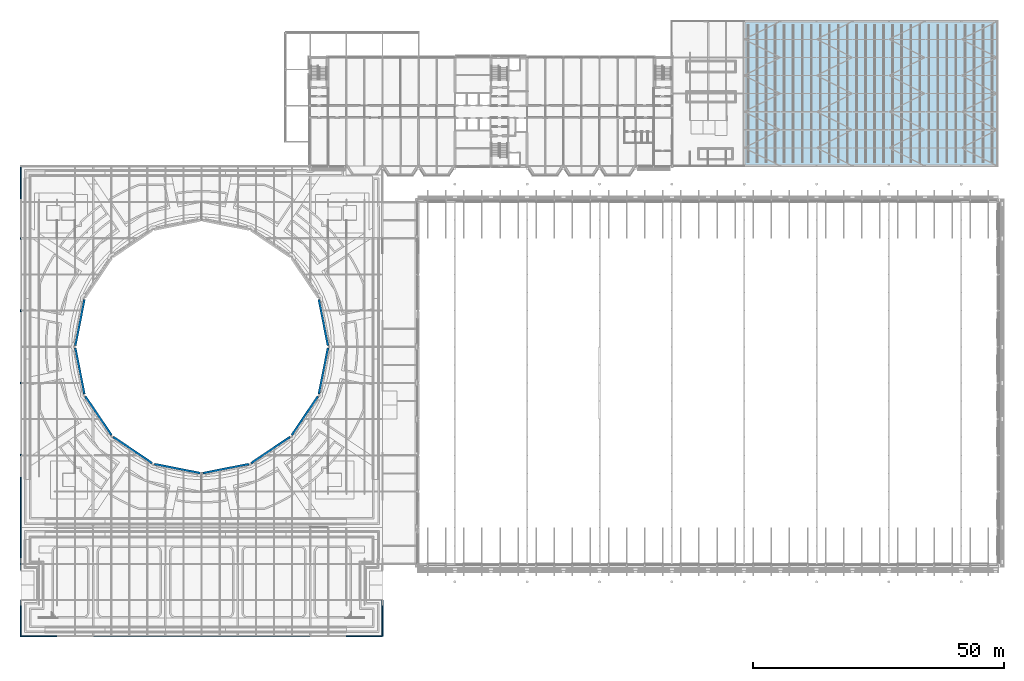
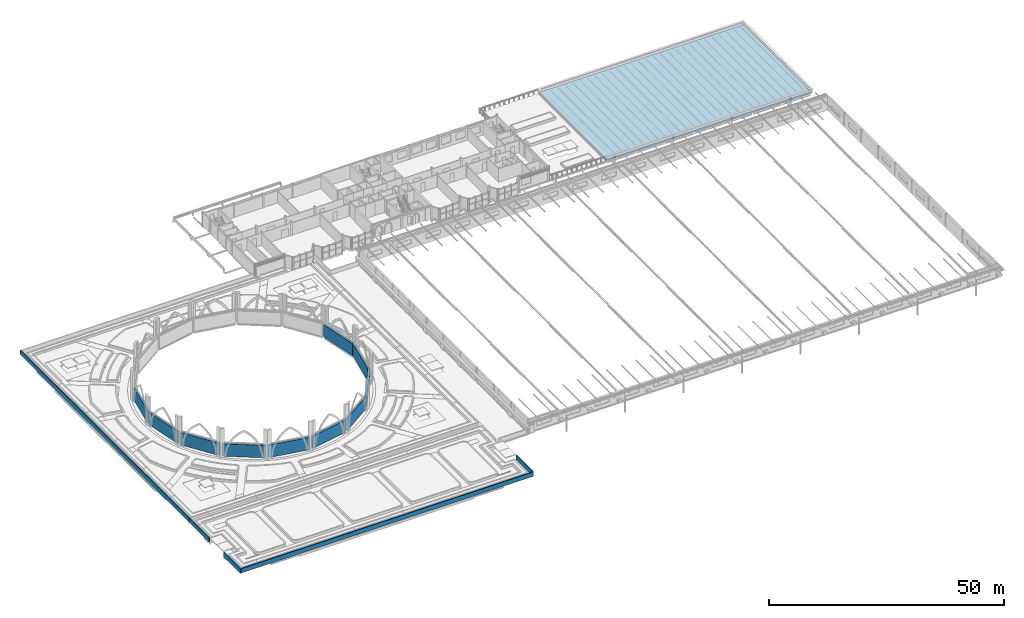
# One storey, part 38 of 110: 15 walls, 1 slab.
"""IFC4 building model written with IfcOpenShell, lengths in metres."""

import ifcopenshell
import ifcopenshell.guid

model = None  # the IFC model being written
_history = None  # IfcOwnerHistory: only IFC2X3 demands one
_inside = {}  # id of a spatial element -> (the spatial element, [elements in it])
_under = {}  # id of a project, library or spatial element -> (it, [spatial elements below it])
_declared = {}  # id of a project -> (the project, [libraries it declares])
_typed = {}  # id of a type object -> (the type object, [elements of that type])
_made_of = {}  # id of a material, layer set ... -> (it, [elements and type objects made of it])


def new_model(schema):
    """Start an empty IFC model of exactly this schema.

    Asked for "IFC4X3", IfcOpenShell would pick the latest addendum, in which some entities
    have other attributes; the version numbers below select the first issue.
    IFC2X3 requires an IfcOwnerHistory on every rooted entity: one is made here for all.
    """
    global model, _history
    if schema == "IFC4X3":
        model = ifcopenshell.file(schema_version=(4, 3, 0, 0))
    else:
        model = ifcopenshell.file(schema=schema)
    _inside.clear()
    _under.clear()
    _declared.clear()
    _typed.clear()
    _made_of.clear()
    _history = None
    if model.schema == "IFC2X3":
        org = make("IfcOrganization", Name="unknown")
        user = make(
            "IfcPersonAndOrganization",
            ThePerson=make("IfcPerson", FamilyName="unknown"),
            TheOrganization=org,
        )
        app = make(
            "IfcApplication",
            ApplicationDeveloper=org,
            Version="unknown",
            ApplicationFullName="unknown",
            ApplicationIdentifier="unknown",
        )
        _history = make(
            "IfcOwnerHistory",
            OwningUser=user,
            OwningApplication=app,
            ChangeAction="ADDED",
            CreationDate=0,
        )
    return model


def make(cls, **values):
    """One entity of the class cls with the attributes given. An attribute that is None is left unset."""
    return model.create_entity(
        cls, **{name: value for name, value in values.items() if value is not None}
    )


def rooted(cls, **values):
    """An entity with a GlobalId (a new one), such as an element, a storey or a relation."""
    return make(cls, GlobalId=ifcopenshell.guid.new(), OwnerHistory=_history, **values)


def si_unit(unit_type, name, prefix=None):
    """IfcSIUnit, for example si_unit("LENGTHUNIT", "METRE", prefix="MILLI")."""
    return make("IfcSIUnit", UnitType=unit_type, Prefix=prefix, Name=name)


def assignment(units):
    """IfcUnitAssignment: the units of a project."""
    return None if units is None else make("IfcUnitAssignment", Units=units)


def point(xyz):
    """IfcCartesianPoint."""
    return None if xyz is None else make("IfcCartesianPoint", Coordinates=xyz)


def direction(xyz):
    """IfcDirection."""
    return None if xyz is None else make("IfcDirection", DirectionRatios=xyz)


def frame(location, z_axis=None, x_axis=None):
    """IfcAxis2Placement3D, a coordinate frame: its origin and axes. An axis left out is left unset."""
    return make(
        "IfcAxis2Placement3D",
        Location=point(location),
        Axis=direction(z_axis),
        RefDirection=direction(x_axis),
    )


def frame_2d(location, x_axis=None):
    """IfcAxis2Placement2D, a coordinate frame in the plane: its origin and x axis."""
    return make(
        "IfcAxis2Placement2D", Location=point(location), RefDirection=direction(x_axis)
    )


def origin():
    """The frame at (0, 0, 0) with its axes left unset."""
    return frame((0.0, 0.0, 0.0))


def place(relative_to, where):
    """IfcLocalPlacement: puts the frame where relative to a parent placement (None: the world)."""
    return make(
        "IfcLocalPlacement", PlacementRelTo=relative_to, RelativePlacement=where
    )


def context(
    kind, dimensions, precision=None, world=None, true_north=None, identifier=None
):
    """IfcGeometricRepresentationContext, for example the 3D "Model" context."""
    return make(
        "IfcGeometricRepresentationContext",
        ContextIdentifier=identifier,
        ContextType=kind,
        CoordinateSpaceDimension=dimensions,
        Precision=precision,
        WorldCoordinateSystem=world,
        TrueNorth=true_north,
    )


def subcontext(parent, identifier, kind, view, scale=None):
    """IfcGeometricRepresentationSubContext, for example "Body" below "Model"."""
    return make(
        "IfcGeometricRepresentationSubContext",
        ContextIdentifier=identifier,
        ContextType=kind,
        ParentContext=parent,
        TargetScale=scale,
        TargetView=view,
    )


def project(units=None, contexts=None):
    """IfcProject with its units and contexts."""
    return rooted(
        "IfcProject",
        Name="project",
        RepresentationContexts=contexts,
        UnitsInContext=assignment(units),
    )


def spatial(cls, under=None, at=None, **own):
    """A site, building, storey or space (cls), placed at a placement, below another one or the project."""
    s = rooted(cls, ObjectPlacement=at, **own)
    if under is not None:
        _under.setdefault(under.id(), (under, []))[1].append(s)
    return s


def polyline(points):
    """IfcPolyline through the points."""
    return make("IfcPolyline", Points=[point(p) for p in points])


def profile(cls, at=None, kind="AREA", **sizes):
    """A parametric profile (cls). Its sizes go by their IFC names, for example OverallWidth=200.0."""
    return make(cls, ProfileType=kind, Position=at, **sizes)


def rectangle(**sizes):
    """IfcRectangleProfileDef."""
    return profile("IfcRectangleProfileDef", **sizes)


def outline(outer, holes=None, kind="AREA"):
    """IfcArbitraryClosedProfileDef: a profile drawn as a closed curve; with holes, ...WithVoids."""
    if holes is None:
        return make("IfcArbitraryClosedProfileDef", ProfileType=kind, OuterCurve=outer)
    return make(
        "IfcArbitraryProfileDefWithVoids",
        ProfileType=kind,
        OuterCurve=outer,
        InnerCurves=holes,
    )


def extrude(swept, where, along, depth):
    """IfcExtrudedAreaSolid: the profile swept, set in the frame where, extruded along a direction by depth."""
    return make(
        "IfcExtrudedAreaSolid",
        SweptArea=swept,
        Position=where,
        ExtrudedDirection=direction(along),
        Depth=depth,
    )


def shape(context_of_items, identifier, shape_type, items):
    """IfcShapeRepresentation: the items that make up one representation, for example the "Body"."""
    return make(
        "IfcShapeRepresentation",
        ContextOfItems=context_of_items,
        RepresentationIdentifier=identifier,
        RepresentationType=shape_type,
        Items=items,
    )


def material(Name=None, Category=None):
    """IfcMaterial."""
    return make("IfcMaterial", Name=Name, Category=Category)


def layer(
    of_material, thickness, ventilated=None, Name=None, Category=None, Priority=None
):
    """IfcMaterialLayer: one layer of a wall or slab, of a material (None: an air gap)."""
    return make(
        "IfcMaterialLayer",
        Material=of_material,
        LayerThickness=thickness,
        IsVentilated=ventilated,
        Name=Name,
        Category=Category,
        Priority=Priority,
    )


def layer_set(layers, Name=None):
    """IfcMaterialLayerSet."""
    return make("IfcMaterialLayerSet", MaterialLayers=layers, LayerSetName=Name)


def made_of(thing, what):
    """Note that an element or type object is made of a material, layer set ...; save() writes the relation."""
    if what is not None:
        _made_of.setdefault(what.id(), (what, []))[1].append(thing)
    return thing


def type_object(cls, material=None, **own):
    """A type object (cls), such as IfcWallType, which elements share."""
    return made_of(rooted(cls, **own), material)


def element(
    cls,
    number,
    at=None,
    inside=None,
    cuts=None,
    type_object=None,
    material=None,
    context=None,
    identifier="Body",
    shape_type=None,
    held_by="IfcProductDefinitionShape",
    body=None,
    shapes=None,
    **own,
):
    """One element of the class cls, such as IfcWall. Its Tag is "e" and its number.

    at: its placement. inside: the storey or other place that contains it. cuts: it is an
    opening in that element (IfcRelVoidsElement). A single representation is given by context,
    identifier, shape_type and body (its items); several are given by shapes. held_by: the class
    of the entity that holds the representations. save() writes the other relations.
    """
    e = rooted(cls, Tag="e%d" % number, ObjectPlacement=at, **own)
    if body is not None:
        shapes = [shape(context, identifier, shape_type, body)]
    if shapes is not None:
        e.Representation = make(held_by, Representations=shapes)
    if inside is not None:
        _inside.setdefault(inside.id(), (inside, []))[1].append(e)
    if cuts is not None:
        rooted(
            "IfcRelVoidsElement", RelatingBuildingElement=cuts, RelatedOpeningElement=e
        )
    if type_object is not None:
        _typed.setdefault(type_object.id(), (type_object, []))[1].append(e)
    return made_of(e, material)


def aggregate(whole, parts):
    """IfcRelAggregates: a whole, such as a stair, and the parts it consists of."""
    return rooted("IfcRelAggregates", RelatingObject=whole, RelatedObjects=parts)


def save(model, path):
    """Write the relations noted so far, then the file.

    IfcRelAggregates (storeys below a building ...), IfcRelContainedInSpatialStructure (elements
    in a storey), IfcRelDefinesByType, IfcRelAssociatesMaterial and IfcRelDeclares: one each for
    every whole, place, type object, material and project.
    """
    for whole, parts in _under.values():
        aggregate(whole, parts)
    for where, things in _inside.values():
        rooted(
            "IfcRelContainedInSpatialStructure",
            RelatedElements=things,
            RelatingStructure=where,
        )
    for kind, things in _typed.values():
        rooted("IfcRelDefinesByType", RelatedObjects=things, RelatingType=kind)
    for what, things in _made_of.values():
        rooted("IfcRelAssociatesMaterial", RelatedObjects=things, RelatingMaterial=what)
    for by, libraries in _declared.values():
        rooted("IfcRelDeclares", RelatingContext=by, RelatedDefinitions=libraries)
    model.write(path)


model = new_model("IFC4")

# Units and contexts
model_context = context("Model", 3, precision=1e-05, world=origin(), true_north=direction((0.0, 1.0)))
body_context = subcontext(model_context, "Body", "Model", "MODEL_VIEW")
ifc_project = project(units=[si_unit("LENGTHUNIT", "METRE"), si_unit("AREAUNIT", "SQUARE_METRE"), si_unit("VOLUMEUNIT", "CUBIC_METRE"), si_unit("PLANEANGLEUNIT", "RADIAN"), si_unit("MASSUNIT", "GRAM", prefix="KILO")], contexts=[model_context])

# Site, building, storey
site_placement = place(None, origin())
site = spatial("IfcSite", under=ifc_project, at=site_placement, CompositionType="ELEMENT")
building_placement = place(site_placement, origin())
building = spatial("IfcBuilding", under=site, at=building_placement, Name="Kupolbacken Congress Centre", CompositionType="ELEMENT")
storey_placement = place(building_placement, frame((0.0, 0.0, 18.0)))
storey = spatial("IfcBuildingStorey", under=building, at=storey_placement, Name="L05", CompositionType="ELEMENT", Elevation=18.0)

# Slab
ifc_material_1 = material(Name="Concrete C30/37", Category="concrete")
ifc_layer_1 = layer(ifc_material_1, 0.080078125)
ifc_material_2 = material(Name="Steel S350 profiled deck", Category="steel")
ifc_layer_2 = layer(ifc_material_2, 0.06005859375)
ifc_material_3 = material(Name="Mineral wool", Category="insulation")
ifc_layer_3 = layer(ifc_material_3, 0.10009765625)
ifc_material_4 = material(Name="Roofing membrane", Category="membrane")
ifc_layer_4 = layer(ifc_material_4, 0.010009765625)
ifc_material_5 = material(Name="Stone paving", Category="masonry")
ifc_layer_5 = layer(ifc_material_5, 0.0400390625)
ifc_layer_set_1 = layer_set([ifc_layer_1, ifc_layer_2, ifc_layer_3, ifc_layer_4, ifc_layer_5], Name="Concrete C30/37 / Steel S350 profiled deck / Mineral wool / Roofing membrane / Stone paving")
slab_type = type_object("IfcSlabType", Name="RS3 slab 290", PredefinedType="ROOF", material=ifc_layer_set_1)
slab_placement = place(storey_placement, origin())
element("IfcSlab", 1, at=slab_placement, inside=storey, type_object=slab_type, Name="BR/deck", PredefinedType="ROOF", context=body_context, shape_type="SweptSolid", body=[
    extrude(outline(polyline([(151.199951171875, 122.39990234375), (201.60009765625, 122.39990234375), (201.60009765625, 151.199951171875), (151.199951171875, 151.199951171875), (151.199951171875, 122.39990234375)])), origin(), (0.0, 0.0, 1.0), 0.2900390625),
])

# Walls
ifc_material_6 = material(Name="Limestone", Category="masonry")
ifc_layer_6 = layer(ifc_material_6, 0.1201171875)
ifc_material_7 = material(Name="Air cavity", Category="air")
ifc_layer_7 = layer(ifc_material_7, 0.0400390625, ventilated=True)
ifc_layer_8 = layer(ifc_material_3, 0.159912109375)
ifc_material_8 = material(Name="Concrete block", Category="masonry")
ifc_layer_9 = layer(ifc_material_8, 0.1201171875)
ifc_layer_set_2 = layer_set([ifc_layer_6, ifc_layer_7, ifc_layer_8, ifc_layer_9], Name="Limestone / Mineral wool / Concrete block")
wall_type_1 = type_object("IfcWallType", Name="EW05 external cavity wall 440", PredefinedType="SOLIDWALL", material=ifc_layer_set_2)
for number, where, z_axis, x_axis, name in (
    (2, (20.039794921875, 76.542724609375, 0.0), (0.0, 0.0, 1.0), (0.559394224363, -0.828901744327, 0.0), "Drum wall 01 L05"),
    (3, (25.607177734375, 68.460205078125, 0.0), (0.0, 0.0, 1.0), (0.828901744327, -0.559394224363, 0.0), "Drum wall 02 L05"),
):
    element("IfcWall", number, at=place(storey_placement, frame(where, z_axis=z_axis, x_axis=x_axis)), inside=storey, type_object=wall_type_1, Name=name, PredefinedType="SOLIDWALL", context=body_context, shape_type="SweptSolid", body=[
        extrude(rectangle(XDim=9.332275390625, YDim=0.43994140625, at=frame_2d((4.666015625, 0.0))), origin(), (0.0, 0.0, 1.0), 3.2099609375),
    ])
wall_1_placement = place(storey_placement, frame((33.79541015625, 63.0517578125, 0.0), z_axis=(0.0, 0.0, 1.0), x_axis=(0.981160743588, -0.193193155264, 0.0)))
element("IfcWall", 4, at=wall_1_placement, inside=storey, type_object=wall_type_1, Name="Drum wall 03 L05", PredefinedType="SOLIDWALL", context=body_context, shape_type="SweptSolid", body=[
    extrude(rectangle(XDim=9.3349609375, YDim=0.43994140625, at=frame_2d((4.66748046875, 0.0))), origin(), (0.0, 0.0, 1.0), 3.2099609375),
])
wall_2_placement = place(storey_placement, frame((43.4453125, 61.248291015625, 0.0), z_axis=(0.0, 0.0, 1.0), x_axis=(0.98116171968, 0.193188197971, 0.0)))
element("IfcWall", 5, at=wall_2_placement, inside=storey, type_object=wall_type_1, Name="Drum wall 04 L05", PredefinedType="SOLIDWALL", context=body_context, shape_type="SweptSolid", body=[
    extrude(rectangle(XDim=9.335205078125, YDim=0.43994140625, at=frame_2d((4.66748046875, 0.0))), origin(), (0.0, 0.0, 1.0), 3.2099609375),
])
for number, where, z_axis, x_axis, name in (
    (6, (53.05712890625, 63.23974609375, 0.0), (0.0, 0.0, 1.0), (0.828901744327, 0.559394224363, 0.0), "Drum wall 05 L05"),
    (7, (61.139892578125, 68.80712890625, 0.0), (0.0, 0.0, 1.0), (0.559376249525, 0.828913874577, 0.0), "Drum wall 06 L05"),
):
    element("IfcWall", number, at=place(storey_placement, frame(where, z_axis=z_axis, x_axis=x_axis)), inside=storey, type_object=wall_type_1, Name=name, PredefinedType="SOLIDWALL", context=body_context, shape_type="SweptSolid", body=[
        extrude(rectangle(XDim=9.332275390625, YDim=0.43994140625, at=frame_2d((4.666015625, 0.0))), origin(), (0.0, 0.0, 1.0), 3.2099609375),
    ])
for number, where, z_axis, x_axis, name in (
    (8, (66.54833984375, 76.995361328125, 0.0), (0.0, 0.0, 1.0), (0.193188197971, 0.98116171968, 0.0), "Drum wall 07 L05"),
    (9, (68.351806640625, 86.645263671875, 0.0), (0.0, 0.0, 1.0), (-0.193188197971, 0.98116171968, 0.0), "Drum wall 08 L05"),
    (10, (19.851806640625, 95.8046875, 0.0), (0.0, 0.0, 1.0), (-0.193188197971, -0.98116171968, 0.0), "Drum wall 15 L05"),
    (11, (18.04833984375, 86.15478515625, 0.0), (0.0, 0.0, 1.0), (0.193188197971, -0.98116171968, 0.0), "Drum wall 16 L05"),
):
    element("IfcWall", number, at=place(storey_placement, frame(where, z_axis=z_axis, x_axis=x_axis)), inside=storey, type_object=wall_type_1, Name=name, PredefinedType="SOLIDWALL", context=body_context, shape_type="SweptSolid", body=[
        extrude(rectangle(XDim=9.335205078125, YDim=0.43994140625, at=frame_2d((4.66748046875, 0.0))), origin(), (0.0, 0.0, 1.0), 3.2099609375),
    ])
ifc_material_9 = material(Name="Brick", Category="masonry")
ifc_layer_10 = layer(ifc_material_9, 0.10791015625)
ifc_layer_11 = layer(ifc_material_8, 0.152099609375)
ifc_layer_set_3 = layer_set([ifc_layer_10, ifc_layer_11], Name="Brick / Concrete block")
wall_type_2 = type_object("IfcWallType", Name="PW2 parapet 260", PredefinedType="PARAPET", material=ifc_layer_set_3)
wall_3_placement = place(storey_placement, frame((79.199951171875, 28.800048828125, 0.0), z_axis=(0.0, 0.0, 1.0), x_axis=(-1.0, 0.0, 0.0)))
element("IfcWall", 12, at=wall_3_placement, inside=storey, type_object=wall_type_2, Name="E/roof/ring/01/01", PredefinedType="PARAPET", context=body_context, shape_type="SweptSolid", body=[
    extrude(rectangle(XDim=72.1298828125, YDim=0.260009765625, at=frame_2d((36.06494140625, 0.0))), origin(), (0.0, 0.0, 1.0), 1.10009765625),
])
wall_4_placement = place(storey_placement, frame((7.199951171875, 28.669921875, 0.0), z_axis=(0.0, 0.0, 1.0), x_axis=(0.0, 1.0, 0.0)))
element("IfcWall", 13, at=wall_4_placement, inside=storey, type_object=wall_type_2, Name="E/roof/ring/01/02", PredefinedType="PARAPET", context=body_context, shape_type="SweptSolid", body=[
    extrude(rectangle(XDim=7.260009765625, YDim=0.260009765625, at=frame_2d((3.6298828125, 0.0))), origin(), (0.0, 0.0, 1.0), 1.10009765625),
])
wall_5_placement = place(storey_placement, frame((7.199951171875, 41.969970703125, 0.0), z_axis=(0.0, 0.0, 1.0), x_axis=(0.0, 1.0, 0.0)))
element("IfcWall", 14, at=wall_5_placement, inside=storey, type_object=wall_type_2, Name="E/roof/ring/02/01", PredefinedType="PARAPET", context=body_context, shape_type="SweptSolid", body=[
    extrude(rectangle(XDim=8.56005859375, YDim=0.260009765625, at=frame_2d((4.280029296875, 0.0))), origin(), (0.0, 0.0, 1.0), 1.10009765625),
])
wall_6_placement = place(storey_placement, frame((7.199951171875, 50.27001953125, 0.0), z_axis=(0.0, 0.0, 1.0), x_axis=(0.0, 1.0, 0.0)))
element("IfcWall", 15, at=wall_6_placement, inside=storey, type_object=wall_type_2, Name="E/roof/ring/02/02", PredefinedType="PARAPET", context=body_context, shape_type="SweptSolid", body=[
    extrude(rectangle(XDim=72.260009765625, YDim=0.260009765625, at=frame_2d((36.1298828125, 0.0))), origin(), (0.0, 0.0, 1.0), 1.10009765625),
])
wall_7_placement = place(storey_placement, frame((79.199951171875, 35.929931640625, 0.0), z_axis=(0.0, 0.0, 1.0), x_axis=(0.0, -1.0, 0.0)))
element("IfcWall", 16, at=wall_7_placement, inside=storey, type_object=wall_type_2, Name="E/roof/ring/05/01", PredefinedType="PARAPET", context=body_context, shape_type="SweptSolid", body=[
    extrude(rectangle(XDim=7.1298828125, YDim=0.260009765625, at=frame_2d((3.56494140625, 0.0))), origin(), (0.0, 0.0, 1.0), 1.10009765625),
])

save(model, "model.ifc")
